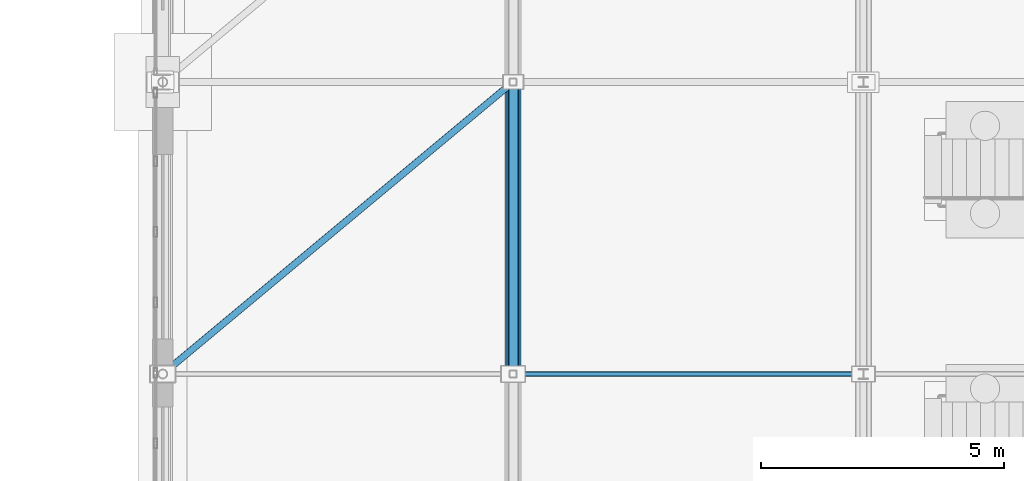
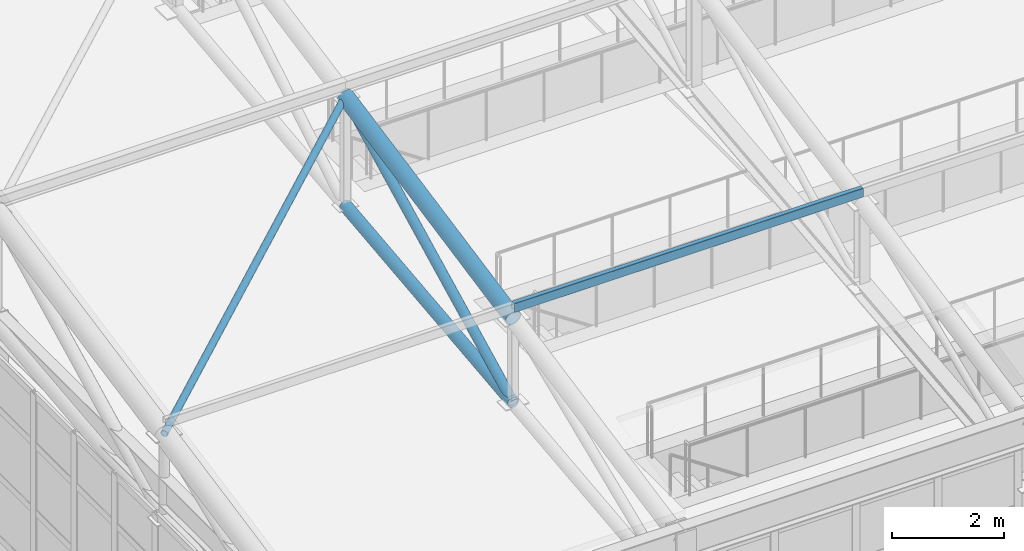
# One storey, part 109 of 293: 5 members.
"""IFC4 building model written with IfcOpenShell, lengths in metres."""

from ifc_helpers import new_model, si_unit, direction, frame, origin, origin_2d, place, context, subcontext, project, spatial, hollow_rectangle, hollow_circle, extrude, material, material_profile, profile_set, type_object, element, save


model = new_model("IFC4")

# Units and contexts
model_context = context("Model", 3, precision=1e-05, world=origin(), true_north=direction((0.0, 1.0)))
body_context = subcontext(model_context, "Body", "Model", "MODEL_VIEW")
ifc_project = project(units=[si_unit("LENGTHUNIT", "METRE"), si_unit("AREAUNIT", "SQUARE_METRE"), si_unit("VOLUMEUNIT", "CUBIC_METRE"), si_unit("PLANEANGLEUNIT", "RADIAN"), si_unit("MASSUNIT", "GRAM", prefix="KILO")], contexts=[model_context])

# Site, building, storey
site_placement = place(None, origin())
site = spatial("IfcSite", under=ifc_project, at=site_placement, CompositionType="ELEMENT")
building_placement = place(site_placement, origin())
building = spatial("IfcBuilding", under=site, at=building_placement, Name="Kemerveld Promenade Tramway Depot", CompositionType="ELEMENT")
storey_placement = place(building_placement, origin())
storey = spatial("IfcBuildingStorey", under=building, at=storey_placement, Name="L00", CompositionType="ELEMENT", Elevation=0.0)

# Members
ifc_material = material(Name="Steel S355", Category="steel")
ifc_material_profile_1 = material_profile(ifc_material, hollow_rectangle(XDim=0.10009765625, YDim=0.199951171875, WallThickness=0.008056640625, InnerFilletRadius=0.00390625, OuterFilletRadius=0.011962890625, at=origin_2d()), Name="200x100x8.0 RHS")
ifc_profile_set_1 = profile_set([ifc_material_profile_1], Name="Steel S355")
member_type_1 = type_object("IfcMemberType", Name="MB-PR2", PredefinedType="PURLIN", material=ifc_profile_set_1)
member_1_placement = place(storey_placement, frame((43.199951171875, 90.0, 12.544921875), z_axis=(1.0, 0.0, 0.0), x_axis=(0.0, 1.0, 0.0)))
element("IfcMember", 1, at=member_1_placement, inside=storey, type_object=member_type_1, Name="PUR-V1-01-07", PredefinedType="PURLIN", context=body_context, shape_type="SweptSolid", body=[
    extrude(hollow_rectangle(XDim=0.10009765625, YDim=0.199951171875, WallThickness=0.008056640625, InnerFilletRadius=0.00390625, OuterFilletRadius=0.011962890625, at=origin_2d()), origin(), (0.0, 0.0, 1.0), 7.199951171875),
])
ifc_material_profile_2 = material_profile(ifc_material, hollow_circle(Radius=0.096923828125, WallThickness=0.008056640625, at=origin_2d()), Name="193.7x8.0 CHS")
ifc_profile_set_2 = profile_set([ifc_material_profile_2], Name="Steel S355")
member_type_2 = type_object("IfcMemberType", Name="MB-TB2", PredefinedType="BRACE", material=ifc_profile_set_2)
member_2_placement = place(storey_placement, frame((43.199951171875, 90.0, 10.4599609375), z_axis=(0.0, 0.892033434612, 0.451969414379), x_axis=(-1.0, 0.0, 0.0)))
element("IfcMember", 2, at=member_2_placement, inside=storey, type_object=member_type_2, Name="TR-07-DG-02", PredefinedType="BRACE", context=body_context, shape_type="SweptSolid", body=[
    extrude(hollow_circle(Radius=0.096923828125, WallThickness=0.008056640625, at=origin_2d()), origin(), (0.0, 0.0, 1.0), 6.726318359375),
])
ifc_material_profile_3 = material_profile(ifc_material, hollow_circle(Radius=0.06982421875, WallThickness=0.00634765625, at=origin_2d()), Name="139.7x6.3 CHS")
ifc_profile_set_3 = profile_set([ifc_material_profile_3], Name="Steel S355")
member_type_3 = type_object("IfcMemberType", Name="MB-TB3", PredefinedType="BRACE", material=ifc_profile_set_3)
member_3_placement = place(storey_placement, frame((36.0, 90.0, 12.300048828125), z_axis=(0.761999094998, 0.635003552225, 0.126995542773), x_axis=(-0.640186961885, 0.768219144407, 0.0)))
element("IfcMember", 3, at=member_3_placement, inside=storey, type_object=member_type_3, Name="RBR-V1-01-06", PredefinedType="BRACE", context=body_context, shape_type="SweptSolid", body=[
    extrude(hollow_circle(Radius=0.06982421875, WallThickness=0.00634765625, at=origin_2d()), origin(), (0.0, 0.0, 1.0), 9.44873046875),
])
ifc_material_profile_4 = material_profile(ifc_material, hollow_circle(Radius=0.161865234375, WallThickness=0.012451171875, at=origin_2d()), Name="323.9x12.5 CHS")
ifc_profile_set_4 = profile_set([ifc_material_profile_4], Name="Steel S355")
member_type_4 = type_object("IfcMemberType", Name="MB-TC2", PredefinedType="CHORD", material=ifc_profile_set_4)
member_4_placement = place(storey_placement, frame((43.199951171875, 90.0, 12.300048828125), z_axis=(0.0, 0.980582210276, 0.196108462057), x_axis=(-1.0, 0.0, 0.0)))
element("IfcMember", 4, at=member_4_placement, inside=storey, type_object=member_type_4, Name="TR-07-TC-02", PredefinedType="CHORD", context=body_context, shape_type="SweptSolid", body=[
    extrude(hollow_circle(Radius=0.161865234375, WallThickness=0.012451171875, at=origin_2d()), origin(), (0.0, 0.0, 1.0), 6.118896484375),
])
ifc_material_profile_5 = material_profile(ifc_material, hollow_circle(Radius=0.122314453125, WallThickness=0.010009765625, at=origin_2d()), Name="244.5x10.0 CHS")
ifc_profile_set_5 = profile_set([ifc_material_profile_5], Name="Steel S355")
member_type_5 = type_object("IfcMemberType", Name="MB-TC3", PredefinedType="CHORD", material=ifc_profile_set_5)
member_5_placement = place(storey_placement, frame((43.199951171875, 90.0, 10.4599609375), z_axis=(0.0, 0.994001542248, 0.109366055104), x_axis=(-1.0, 0.0, 0.0)))
element("IfcMember", 5, at=member_5_placement, inside=storey, type_object=member_type_5, Name="TR-07-BC-02", PredefinedType="CHORD", context=body_context, shape_type="SweptSolid", body=[
    extrude(hollow_circle(Radius=0.122314453125, WallThickness=0.010009765625, at=origin_2d()), origin(), (0.0, 0.0, 1.0), 6.0361328125),
])

save(model, "model.ifc")
